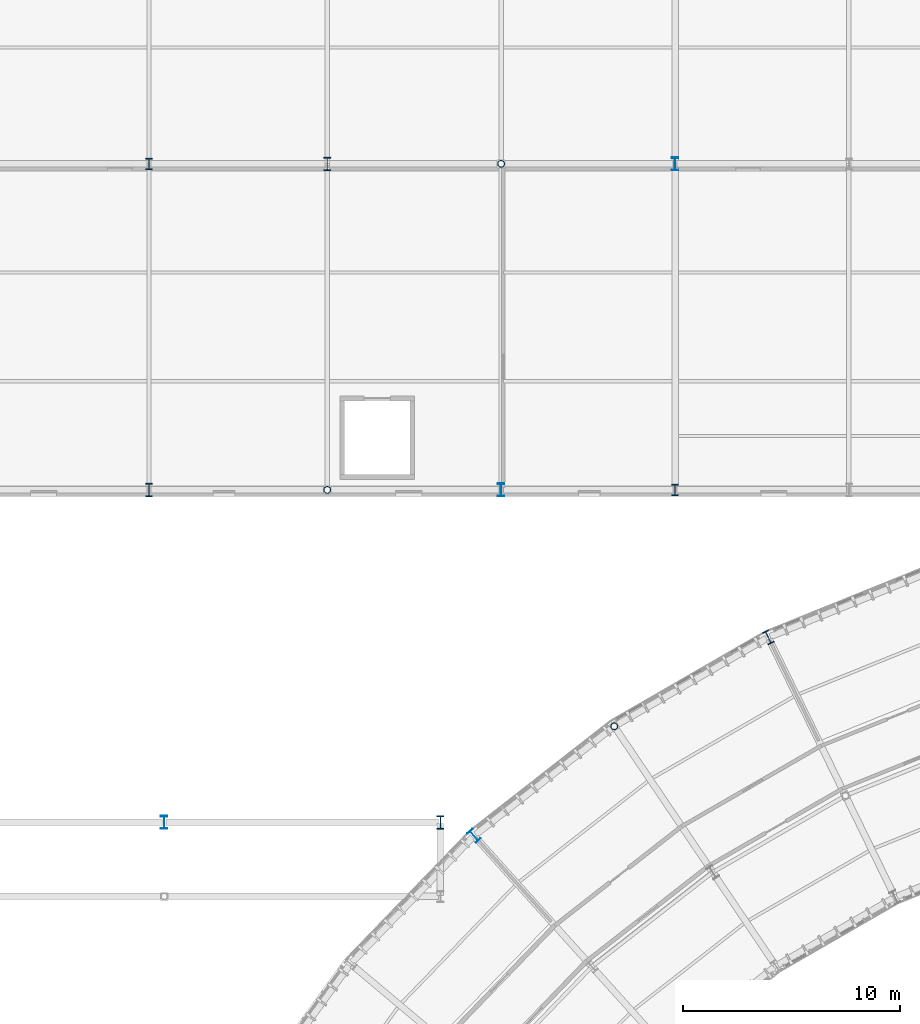
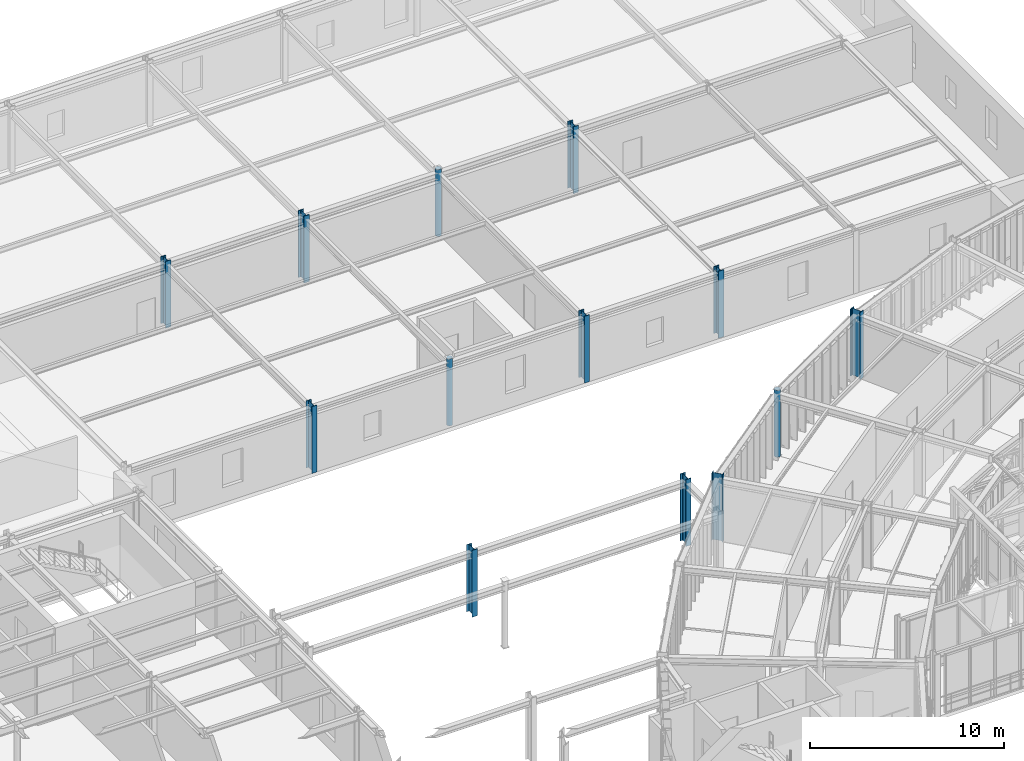
# One storey, part 9 of 148: 13 columns.
"""IFC4 building model written with IfcOpenShell, lengths in metres."""

from ifc_helpers import new_model, si_unit, direction, frame, origin, origin_2d, place, context, subcontext, project, spatial, hollow_circle, i_section, extrude, material, material_profile, profile_set, type_object, element, save


model = new_model("IFC4")

# Units and contexts
model_context = context("Model", 3, precision=1e-05, world=origin(), true_north=direction((0.0, 1.0)))
body_context = subcontext(model_context, "Body", "Model", "MODEL_VIEW")
ifc_project = project(units=[si_unit("LENGTHUNIT", "METRE"), si_unit("AREAUNIT", "SQUARE_METRE"), si_unit("VOLUMEUNIT", "CUBIC_METRE"), si_unit("PLANEANGLEUNIT", "RADIAN"), si_unit("MASSUNIT", "GRAM", prefix="KILO"), si_unit("THERMODYNAMICTEMPERATUREUNIT", "KELVIN"), si_unit("POWERUNIT", "WATT")], contexts=[model_context])

# Site, building, storey
site_placement = place(None, origin())
site = spatial("IfcSite", under=ifc_project, at=site_placement, CompositionType="ELEMENT")
building_placement = place(site_placement, origin())
building = spatial("IfcBuilding", under=site, at=building_placement, Name="Solvatero Civic Police Headquarters", CompositionType="ELEMENT")
storey_placement = place(building_placement, frame((0.0, 0.0, 5.10009765625)))
storey = spatial("IfcBuildingStorey", under=building, at=storey_placement, Name="L01", CompositionType="ELEMENT", Elevation=5.10009765625)

# Columns
ifc_material = material(Name="Steel S355", Category="steel")
ifc_material_profile_1 = material_profile(ifc_material, hollow_circle(Radius=0.161865234375, WallThickness=0.01611328125, at=origin_2d()), Name="CHS 323.9x16.0")
ifc_profile_set_1 = profile_set([ifc_material_profile_1], Name="Steel S355")
column_type_1 = type_object("IfcColumnType", Name="COL-ST-CHS324", PredefinedType="COLUMN", material=ifc_profile_set_1)
for number, where, z_axis, x_axis, name in (
    (1, (61.203369140625, 74.623046875, 0.0), (0.0, 0.0, 1.0), (0.829037572555, 0.559192903471, 0.0), "Column ARC-S05-OUT L01"),
    (2, (48.0, 85.5, 0.0), (0.0, 0.0, 1.0), (1.0, 0.0, 0.0), "Column V7-X3Y1 L01"),
    (3, (56.0, 100.5, 0.0), (0.0, 0.0, 1.0), (1.0, 0.0, 0.0), "Column V7-X4Y2 L01"),
):
    element("IfcColumn", number, at=place(storey_placement, frame(where, z_axis=z_axis, x_axis=x_axis)), inside=storey, type_object=column_type_1, Name=name, PredefinedType="COLUMN", context=body_context, shape_type="SweptSolid", body=[
        extrude(hollow_circle(Radius=0.161865234375, WallThickness=0.01611328125, at=origin_2d()), origin(), (0.0, 0.0, 1.0), 4.199951171875),
    ])
ifc_material_profile_2 = material_profile(ifc_material, i_section(OverallWidth=0.300048828125, OverallDepth=0.60009765625, WebThickness=0.015380859375, FlangeThickness=0.030029296875, FilletRadius=0.027099609375, at=origin_2d()), Name="HEB 600")
ifc_profile_set_2 = profile_set([ifc_material_profile_2], Name="Steel S355")
column_type_2 = type_object("IfcColumnType", Name="COL-ST-HEB600", PredefinedType="COLUMN", material=ifc_profile_set_2)
for number, where, z_axis, x_axis, name in (
    (4, (54.755615234375, 69.58544921875, 0.0), (0.0, 0.0, 1.0), (0.743144825477, 0.669130606359, 0.0), "Column ARC-S06-OUT L01"),
    (5, (40.5, 70.199951171875, 0.0), (0.0, 0.0, 1.0), (1.0, 0.0, 0.0), "Column SB2-MID-N L01"),
    (6, (56.0, 85.5, 0.0), (0.0, 0.0, 1.0), (1.0, 0.0, 0.0), "Column V7-X4Y1 L01"),
    (7, (64.0, 100.5, 0.0), (0.0, 0.0, 1.0), (1.0, 0.0, 0.0), "Column V7-X5Y2 L01"),
):
    element("IfcColumn", number, at=place(storey_placement, frame(where, z_axis=z_axis, x_axis=x_axis)), inside=storey, type_object=column_type_2, Name=name, PredefinedType="COLUMN", context=body_context, shape_type="SweptSolid", body=[
        extrude(i_section(OverallWidth=0.300048828125, OverallDepth=0.60009765625, WebThickness=0.015380859375, FlangeThickness=0.030029296875, FilletRadius=0.027099609375, at=origin_2d()), origin(), (0.0, 0.0, 1.0), 4.199951171875),
    ])
ifc_material_profile_3 = material_profile(ifc_material, i_section(OverallWidth=0.305908203125, OverallDepth=0.52392578125, WebThickness=0.02099609375, FlangeThickness=0.0400390625, FilletRadius=0.027099609375, at=origin_2d()), Name="HEM 500")
ifc_profile_set_3 = profile_set([ifc_material_profile_3], Name="Steel S355")
column_type_3 = type_object("IfcColumnType", Name="COL-ST-HEM500", PredefinedType="COLUMN", material=ifc_profile_set_3)
for number, where, z_axis, x_axis, name in (
    (8, (39.800048828125, 100.5, 0.0), (0.0, 0.0, 1.0), (1.0, 0.0, 0.0), "Column V7-X2Y2 L01"),
    (9, (64.0, 85.5, 0.0), (0.0, 0.0, 1.0), (1.0, 0.0, 0.0), "Column V7-X5Y1 L01"),
):
    element("IfcColumn", number, at=place(storey_placement, frame(where, z_axis=z_axis, x_axis=x_axis)), inside=storey, type_object=column_type_3, Name=name, PredefinedType="COLUMN", context=body_context, shape_type="SweptSolid", body=[
        extrude(i_section(OverallWidth=0.305908203125, OverallDepth=0.52392578125, WebThickness=0.02099609375, FlangeThickness=0.0400390625, FilletRadius=0.027099609375, at=origin_2d()), origin(), (0.0, 0.0, 1.0), 4.199951171875),
    ])
ifc_material_profile_4 = material_profile(ifc_material, i_section(OverallWidth=0.304931640625, OverallDepth=0.6201171875, WebThickness=0.02099609375, FlangeThickness=0.0400390625, FilletRadius=0.027099609375, at=origin_2d()), Name="HEM 600")
ifc_profile_set_4 = profile_set([ifc_material_profile_4], Name="Steel S355")
column_type_4 = type_object("IfcColumnType", Name="COL-ST-HEM600", PredefinedType="COLUMN", material=ifc_profile_set_4)
for number, where, z_axis, x_axis, name in (
    (10, (68.28955078125, 78.71435546875, 0.0), (0.0, 0.0, 1.0), (0.898794046299, 0.438371146789, 0.0), "Column ARC-S04-OUT L01"),
    (11, (53.199951171875, 70.199951171875, 0.0), (0.0, 0.0, 1.0), (1.0, 0.0, 0.0), "Column SB2-E-N L01"),
    (12, (39.800048828125, 85.5, 0.0), (0.0, 0.0, 1.0), (1.0, 0.0, 0.0), "Column V7-X2Y1 L01"),
    (13, (48.0, 100.5, 0.0), (0.0, 0.0, 1.0), (1.0, 0.0, 0.0), "Column V7-X3Y2 L01"),
):
    element("IfcColumn", number, at=place(storey_placement, frame(where, z_axis=z_axis, x_axis=x_axis)), inside=storey, type_object=column_type_4, Name=name, PredefinedType="COLUMN", context=body_context, shape_type="SweptSolid", body=[
        extrude(i_section(OverallWidth=0.304931640625, OverallDepth=0.6201171875, WebThickness=0.02099609375, FlangeThickness=0.0400390625, FilletRadius=0.027099609375, at=origin_2d()), origin(), (0.0, 0.0, 1.0), 4.199951171875),
    ])

save(model, "model.ifc")
